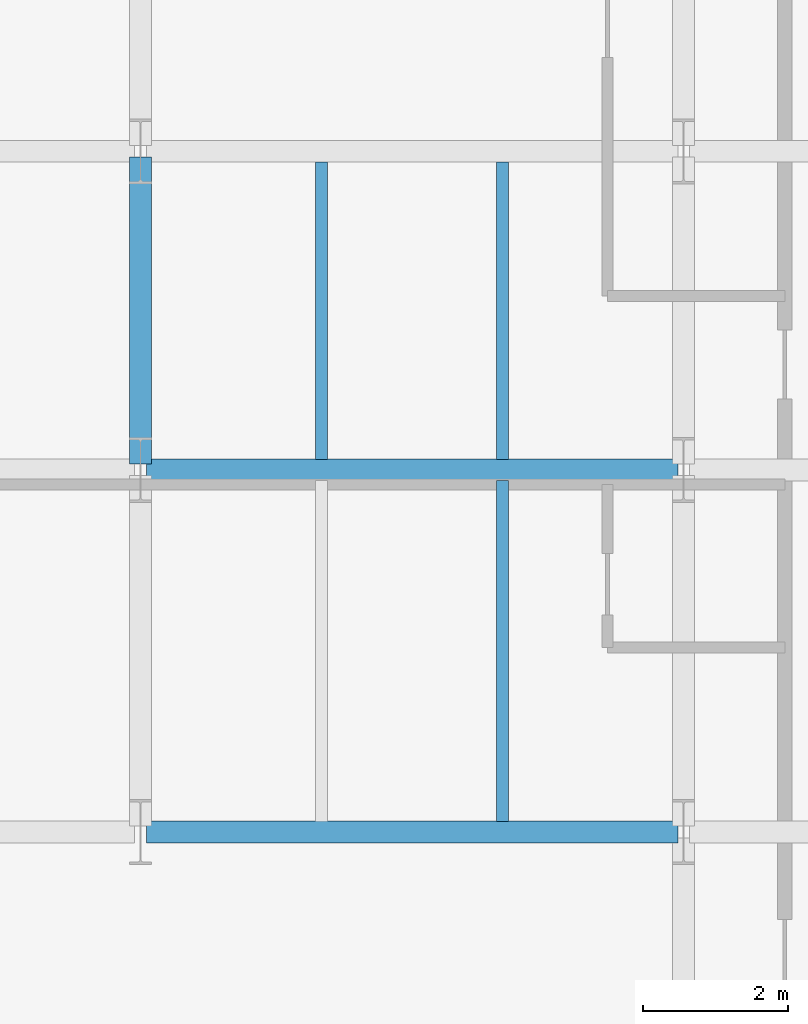
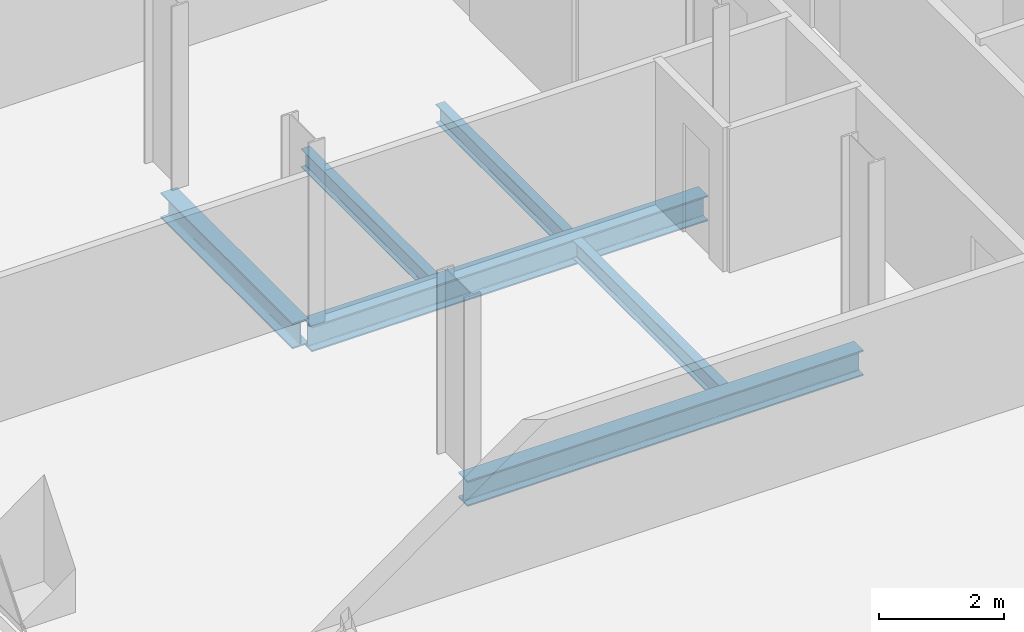
# One storey, part 5 of 31: 6 beams.
"""IFC4 building model written with IfcOpenShell, lengths in metres."""

from ifc_helpers import new_model, si_unit, direction, frame, origin, origin_2d, place, context, subcontext, project, spatial, i_section, extrude, material, material_profile, profile_set, type_object, element, save


model = new_model("IFC4")

# Units and contexts
model_context = context("Model", 3, precision=1e-05, world=origin(), true_north=direction((0.0, 1.0)))
body_context = subcontext(model_context, "Body", "Model", "MODEL_VIEW")
ifc_project = project(units=[si_unit("LENGTHUNIT", "METRE"), si_unit("AREAUNIT", "SQUARE_METRE"), si_unit("VOLUMEUNIT", "CUBIC_METRE"), si_unit("PLANEANGLEUNIT", "RADIAN"), si_unit("MASSUNIT", "GRAM", prefix="KILO")], contexts=[model_context])

# Site, building, storey
site_placement = place(None, origin())
site = spatial("IfcSite", under=ifc_project, at=site_placement, CompositionType="ELEMENT")
building_placement = place(site_placement, origin())
building = spatial("IfcBuilding", under=site, at=building_placement, Name="Catumbela Crestline Tower", CompositionType="ELEMENT")
storey_placement = place(building_placement, frame((0.0, 0.0, 40.2)))
storey = spatial("IfcBuildingStorey", under=building, at=storey_placement, Name="L09", CompositionType="ELEMENT", Elevation=40.2)

# Beams
ifc_material = material(Name="Structural steel S355J2", Category="steel")
ifc_material_profile_1 = material_profile(ifc_material, i_section(OverallWidth=0.3, OverallDepth=0.5, WebThickness=0.0145, FlangeThickness=0.028, FilletRadius=0.027, at=origin_2d()), Name="HEB 500")
ifc_profile_set_1 = profile_set([ifc_material_profile_1], Name="Structural steel S355J2")
beam_type_1 = type_object("IfcBeamType", Name="BG-HEB500", PredefinedType="BEAM", material=ifc_profile_set_1)
for number, where, z_axis, x_axis, name in (
    (1, (8.58, 8.6, -0.51), (1.0, 0.0, 0.0), (0.0, 1.0, 0.0), "L09 Beam BM-L09-WEW49"),
    (2, (8.58, 13.6, -0.51), (1.0, 0.0, 0.0), (0.0, 1.0, 0.0), "L09 Beam BM-L09-WEW52"),
):
    element("IfcBeam", number, at=place(storey_placement, frame(where, z_axis=z_axis, x_axis=x_axis)), inside=storey, type_object=beam_type_1, Name=name, PredefinedType="BEAM", context=body_context, shape_type="SweptSolid", body=[
        extrude(i_section(OverallWidth=0.3, OverallDepth=0.5, WebThickness=0.0145, FlangeThickness=0.028, FilletRadius=0.027, at=origin_2d()), origin(), (0.0, 0.0, 1.0), 7.34),
    ])
beam_1_placement = place(storey_placement, frame((8.5, 13.68, -0.51), z_axis=(0.0, 1.0, 0.0), x_axis=(-1.0, 0.0, 0.0)))
element("IfcBeam", 3, at=beam_1_placement, inside=storey, type_object=beam_type_1, Name="L09 Beam BM-L09-WNS62", PredefinedType="BEAM", context=body_context, shape_type="SweptSolid", body=[
    extrude(i_section(OverallWidth=0.3, OverallDepth=0.5, WebThickness=0.0145, FlangeThickness=0.028, FilletRadius=0.027, at=origin_2d()), origin(), (0.0, 0.0, 1.0), 4.24),
])
ifc_material_profile_2 = material_profile(ifc_material, i_section(OverallWidth=0.17, OverallDepth=0.36, WebThickness=0.008, FlangeThickness=0.0127, FilletRadius=0.018, at=origin_2d()), Name="IPE 360")
ifc_profile_set_2 = profile_set([ifc_material_profile_2], Name="Structural steel S355J2")
beam_type_2 = type_object("IfcBeamType", Name="BJ-IPE360", PredefinedType="JOIST", material=ifc_profile_set_2)
beam_2_placement = place(storey_placement, frame((13.5, 8.747, -0.44), z_axis=(0.0, 1.0, 0.0), x_axis=(-1.0, 0.0, 0.0)))
element("IfcBeam", 4, at=beam_2_placement, inside=storey, type_object=beam_type_2, Name="L09 Joist JS-L09-WG73", PredefinedType="JOIST", context=body_context, shape_type="SweptSolid", body=[
    extrude(i_section(OverallWidth=0.17, OverallDepth=0.36, WebThickness=0.008, FlangeThickness=0.0127, FilletRadius=0.018, at=origin_2d()), origin(), (0.0, 0.0, 1.0), 4.706),
])
for number, where, z_axis, x_axis, name in (
    (5, (11.0, 13.747, -0.44), (0.0, 1.0, 0.0), (-1.0, 0.0, 0.0), "L09 Joist JS-L09-WG78"),
    (6, (13.5, 13.747, -0.44), (0.0, 1.0, 0.0), (-1.0, 0.0, 0.0), "L09 Joist JS-L09-WG79"),
):
    element("IfcBeam", number, at=place(storey_placement, frame(where, z_axis=z_axis, x_axis=x_axis)), inside=storey, type_object=beam_type_2, Name=name, PredefinedType="JOIST", context=body_context, shape_type="SweptSolid", body=[
        extrude(i_section(OverallWidth=0.17, OverallDepth=0.36, WebThickness=0.008, FlangeThickness=0.0127, FilletRadius=0.018, at=origin_2d()), origin(), (0.0, 0.0, 1.0), 4.106),
    ])

save(model, "model.ifc")
